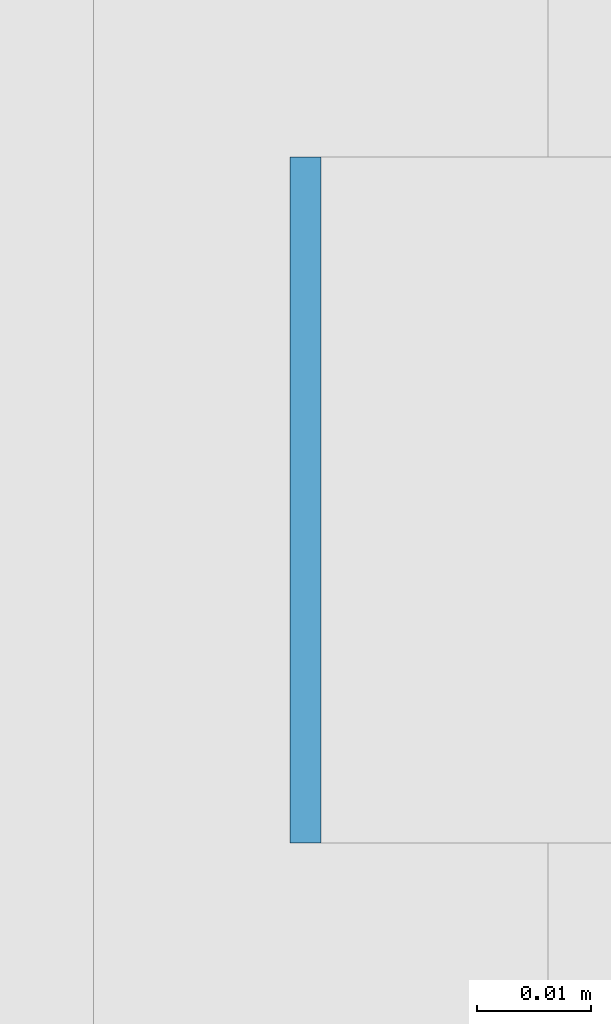
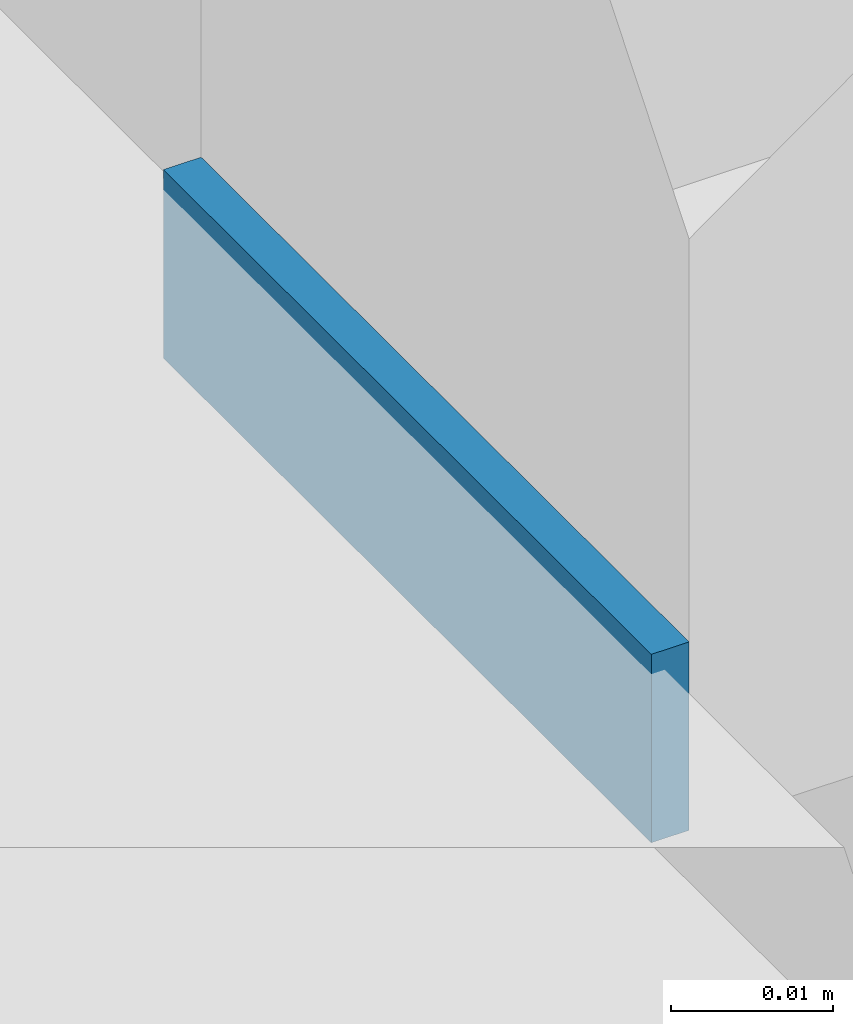
# One storey, part 454 of 646: 1 discrete accessory.
"""IFC4 building model written with IfcOpenShell, lengths in metres."""

from ifc_helpers import new_model, si_unit, direction, frame, origin, origin_2d, place, context, subcontext, project, spatial, rectangle, extrude, material, type_object, element, save


model = new_model("IFC4")

# Units and contexts
model_context = context("Model", 3, precision=1e-05, world=origin(), true_north=direction((0.0, 1.0)))
body_context = subcontext(model_context, "Body", "Model", "MODEL_VIEW")
ifc_project = project(units=[si_unit("LENGTHUNIT", "METRE"), si_unit("AREAUNIT", "SQUARE_METRE"), si_unit("VOLUMEUNIT", "CUBIC_METRE"), si_unit("PLANEANGLEUNIT", "RADIAN"), si_unit("MASSUNIT", "GRAM", prefix="KILO")], contexts=[model_context])

# Site, building, storey
site_placement = place(None, origin())
site = spatial("IfcSite", under=ifc_project, at=site_placement, CompositionType="ELEMENT")
building_placement = place(site_placement, origin())
building = spatial("IfcBuilding", under=site, at=building_placement, Name="Silverbay Arena", CompositionType="ELEMENT")
storey_placement = place(building_placement, frame((0.0, 0.0, 33.5)))
storey = spatial("IfcBuildingStorey", under=building, at=storey_placement, Name="L05", CompositionType="ELEMENT", Elevation=33.5)

# Discrete accessory
ifc_material = material(Name="Steel S355", Category="steel")
discrete_accessory_type = type_object("IfcDiscreteAccessoryType", Name="Steel bracket plate", PredefinedType="BRACKET", material=ifc_material)
discrete_accessory_placement = place(storey_placement, frame((207.128662109375, 41.142822265625, 4.0), z_axis=(0.0, 0.0, 1.0), x_axis=(1.0, 0.0, 0.0)))
element("IfcDiscreteAccessory", 1, at=discrete_accessory_placement, inside=storey, type_object=discrete_accessory_type, Name="Curtain wall packing plate", PredefinedType="BRACKET", context=body_context, shape_type="SweptSolid", body=[
    extrude(rectangle(XDim=0.002685546875, YDim=0.06005859375, at=origin_2d()), origin(), (0.0, 0.0, 1.0), 0.01416015625),
])

save(model, "model.ifc")
